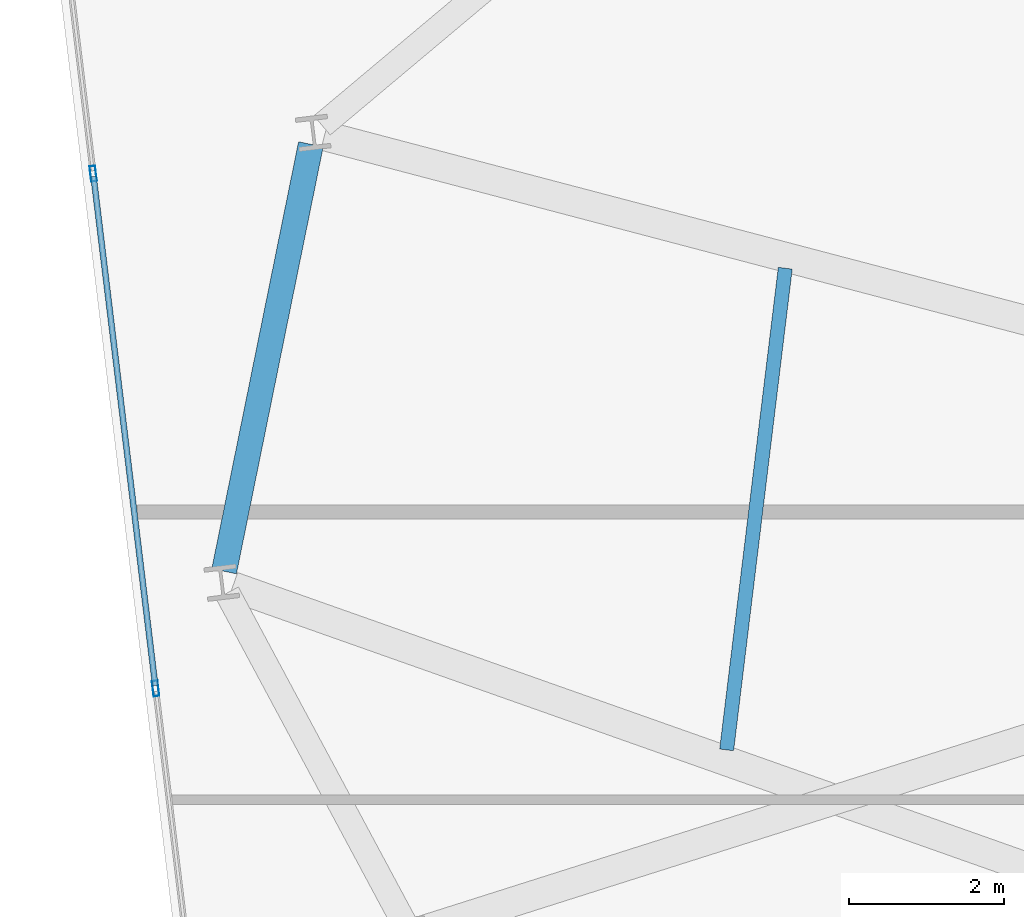
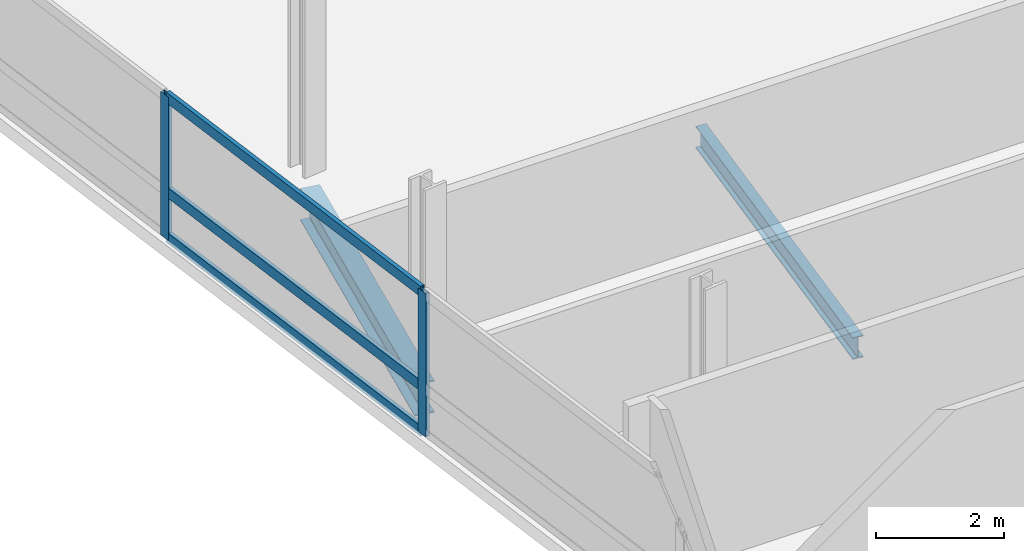
# One storey, part 6 of 23: 5 members, 2 beams, 1 element without a shape of its own.
"""IFC4 building model written with IfcOpenShell, lengths in metres."""

from ifc_helpers import new_model, si_unit, direction, frame, origin, origin_2d, place, context, subcontext, project, spatial, hollow_rectangle, i_section, extrude, material, layer, layer_set, material_profile, profile_set, type_object, element, aggregate, save


model = new_model("IFC4")

# Units and contexts
model_context = context("Model", 3, precision=1e-05, world=origin(), true_north=direction((0.0, 1.0)))
body_context = subcontext(model_context, "Body", "Model", "MODEL_VIEW")
ifc_project = project(units=[si_unit("LENGTHUNIT", "METRE"), si_unit("AREAUNIT", "SQUARE_METRE"), si_unit("VOLUMEUNIT", "CUBIC_METRE"), si_unit("PLANEANGLEUNIT", "RADIAN"), si_unit("MASSUNIT", "GRAM", prefix="KILO")], contexts=[model_context])

# Site, building, storey
site_placement = place(None, origin())
site = spatial("IfcSite", under=ifc_project, at=site_placement, CompositionType="ELEMENT")
building_placement = place(site_placement, origin())
building = spatial("IfcBuilding", under=site, at=building_placement, Name="Varnelok Gate Tower", CompositionType="ELEMENT")
storey_placement = place(building_placement, frame((0.0, 0.0, 200.5)))
storey = spatial("IfcBuildingStorey", under=building, at=storey_placement, Name="L51", CompositionType="ELEMENT", Elevation=200.5)

# Beams
ifc_material_1 = material(Name="Structural Steel ASTM A992 Grade 50", Category="steel")
ifc_material_profile_1 = material_profile(ifc_material_1, i_section(OverallWidth=0.180908203125, OverallDepth=0.4169921875, WebThickness=0.010986328125, FlangeThickness=0.018310546875, FilletRadius=0.013916015625, at=origin_2d()), Name="W16X57")
ifc_profile_set_1 = profile_set([ifc_material_profile_1], Name="Structural Steel ASTM A992 Grade 50")
beam_type_1 = type_object("IfcBeamType", Name="BM-JST-W16X57", PredefinedType="JOIST", material=ifc_profile_set_1)
beam_1_placement = place(storey_placement, frame((12.003662109375, 29.797607421875, -0.45849609375), z_axis=(-0.120822488619, -0.992674128929, 0.0), x_axis=(0.992674128929, -0.120822488619, 0.0)))
element("IfcBeam", 1, at=beam_1_placement, inside=storey, type_object=beam_type_1, Name="L51 Sector Floor Joist 11", PredefinedType="JOIST", context=body_context, shape_type="SweptSolid", body=[
    extrude(i_section(OverallWidth=0.180908203125, OverallDepth=0.4169921875, WebThickness=0.010986328125, FlangeThickness=0.018310546875, FilletRadius=0.013916015625, at=origin_2d()), origin(), (0.0, 0.0, 1.0), 6.25),
])
ifc_material_profile_2 = material_profile(ifc_material_1, i_section(OverallWidth=0.323974609375, OverallDepth=0.611083984375, WebThickness=0.0126953125, FlangeThickness=0.01904296875, FilletRadius=0.01806640625, at=origin_2d()), Name="W24X104")
ifc_profile_set_2 = profile_set([ifc_material_profile_2], Name="Structural Steel ASTM A992 Grade 50")
beam_type_2 = type_object("IfcBeamType", Name="BM-SPN-W24X104", PredefinedType="SPANDREL", material=ifc_profile_set_2)
beam_2_placement = place(storey_placement, frame((5.893310546875, 31.393798828125, -0.555419921875), z_axis=(-0.199143476404, -0.97997034435, 0.0), x_axis=(0.97997034435, -0.199143476404, 0.0)))
element("IfcBeam", 2, at=beam_2_placement, inside=storey, type_object=beam_type_2, Name="L51 Perimeter Spandrel Beam 14", PredefinedType="SPANDREL", context=body_context, shape_type="SweptSolid", body=[
    extrude(i_section(OverallWidth=0.323974609375, OverallDepth=0.611083984375, WebThickness=0.0126953125, FlangeThickness=0.01904296875, FilletRadius=0.01806640625, at=origin_2d()), origin(), (0.0, 0.0, 1.0), 5.6123046875),
])

# Curtain wall, members
ifc_material_2 = material(Name="Anodized Aluminum Alloy 6063-T6", Category="aluminium")
ifc_layer = layer(ifc_material_2, 0.179931640625)
ifc_layer_set = layer_set([ifc_layer], Name="Anodized Aluminum Alloy 6063-T6")
curtain_wall_type = type_object("IfcCurtainWallType", Name="CW4-RESIDENCE-VISION", PredefinedType="USERDEFINED", material=ifc_layer_set)
curtain_wall_placement = place(storey_placement, origin())
curtain_wall = element("IfcCurtainWall", 3, at=curtain_wall_placement, inside=storey, type_object=curtain_wall_type, Name="L51 West End Vision Curtain Wall", ObjectType="UNITISED CURTAIN WALL", PredefinedType="USERDEFINED")
ifc_material_profile_3 = material_profile(ifc_material_2, hollow_rectangle(XDim=0.074951171875, YDim=0.199951171875, WallThickness=0.00390625, at=origin_2d()), Name="ALU200X75X4")
ifc_profile_set_3 = profile_set([ifc_material_profile_3], Name="Anodized Aluminum Alloy 6063-T6")
member_type_1 = type_object("IfcMemberType", Name="CW-MULL-200", PredefinedType="MULLION", material=ifc_profile_set_3)
member_1_placement = place(storey_placement, frame((3.8935546875, 24.384521484375, 0.0), z_axis=(0.0, 0.0, 1.0), x_axis=(-0.992732188751, -0.120344511371, 0.0)))
member_1 = element("IfcMember", 4, at=member_1_placement, type_object=member_type_1, Name="CW4 mullion 4", PredefinedType="MULLION", context=body_context, shape_type="SweptSolid", body=[
    extrude(hollow_rectangle(XDim=0.074951171875, YDim=0.199951171875, WallThickness=0.00390625, at=origin_2d()), origin(), (0.0, 0.0, 1.0), 2.72998046875),
])
member_2_placement = place(storey_placement, frame((3.089599609375, 31.015869140625, 0.0), z_axis=(0.0, 0.0, 1.0), x_axis=(-0.992732188751, -0.120344511371, 0.0)))
member_2 = element("IfcMember", 5, at=member_2_placement, type_object=member_type_1, Name="CW4 mullion 5", PredefinedType="MULLION", context=body_context, shape_type="SweptSolid", body=[
    extrude(hollow_rectangle(XDim=0.074951171875, YDim=0.199951171875, WallThickness=0.00390625, at=origin_2d()), origin(), (0.0, 0.0, 1.0), 2.72998046875),
])
ifc_material_profile_4 = material_profile(ifc_material_2, hollow_rectangle(XDim=0.074951171875, YDim=0.199951171875, WallThickness=0.00390625, at=origin_2d()), Name="ALU200X75X4")
ifc_profile_set_4 = profile_set([ifc_material_profile_4], Name="Anodized Aluminum Alloy 6063-T6")
member_type_2 = type_object("IfcMemberType", Name="CW-TRAN-200", PredefinedType="USERDEFINED", material=ifc_profile_set_4)
member_3_placement = place(storey_placement, frame((3.88916015625, 24.421630859375, 0.03759765625), z_axis=(-0.120353445289, 0.992731105691, 0.0), x_axis=(-0.992731105691, -0.120353445289, 0.0)))
member_3 = element("IfcMember", 6, at=member_3_placement, type_object=member_type_2, Name="CW4 transom 4.1", ObjectType="TRANSOM", PredefinedType="USERDEFINED", context=body_context, shape_type="SweptSolid", body=[
    extrude(hollow_rectangle(XDim=0.074951171875, YDim=0.199951171875, WallThickness=0.00390625, at=origin_2d()), origin(), (0.0, 0.0, 1.0), 6.60498046875),
])
member_4_placement = place(storey_placement, frame((3.88916015625, 24.421630859375, 0.89990234375), z_axis=(-0.120353445289, 0.992731105691, 0.0), x_axis=(-0.992731105691, -0.120353445289, 0.0)))
member_4 = element("IfcMember", 7, at=member_4_placement, type_object=member_type_2, Name="CW4 transom 4.2", ObjectType="TRANSOM", PredefinedType="USERDEFINED", context=body_context, shape_type="SweptSolid", body=[
    extrude(hollow_rectangle(XDim=0.074951171875, YDim=0.199951171875, WallThickness=0.00390625, at=origin_2d()), origin(), (0.0, 0.0, 1.0), 6.60498046875),
])
member_5_placement = place(storey_placement, frame((3.88916015625, 24.421630859375, 2.6923828125), z_axis=(-0.120353445289, 0.992731105691, 0.0), x_axis=(-0.992731105691, -0.120353445289, 0.0)))
member_5 = element("IfcMember", 8, at=member_5_placement, type_object=member_type_2, Name="CW4 transom 4.3", ObjectType="TRANSOM", PredefinedType="USERDEFINED", context=body_context, shape_type="SweptSolid", body=[
    extrude(hollow_rectangle(XDim=0.074951171875, YDim=0.199951171875, WallThickness=0.00390625, at=origin_2d()), origin(), (0.0, 0.0, 1.0), 6.60498046875),
])
aggregate(curtain_wall, [member_1, member_2, member_3, member_4, member_5])

save(model, "model.ifc")
